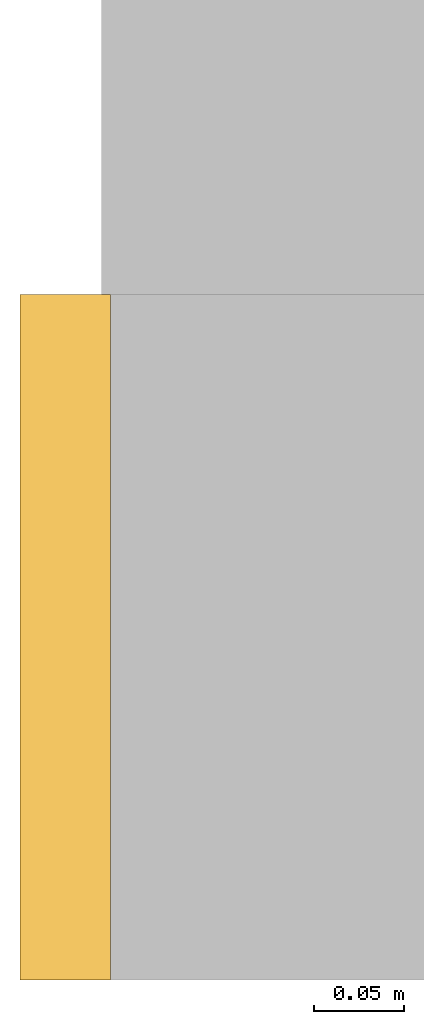
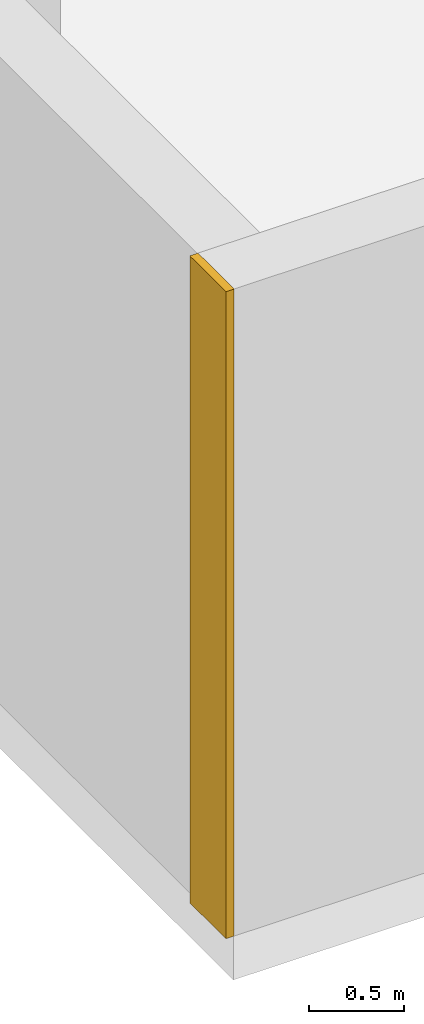
# One storey, part 16 of 21: 1 covering.
"""IFC4 building model written with IfcOpenShell, lengths in metres."""

from ifc_helpers import new_model, si_unit, direction, frame, frame_2d, origin, place, context, subcontext, project, spatial, rectangle, extrude, material, layer, layer_set, type_object, element, save


model = new_model("IFC4")

# Units and contexts
model_context = context("Model", 3, precision=1e-05, world=origin(), true_north=direction((0.0, 1.0)))
body_context = subcontext(model_context, "Body", "Model", "MODEL_VIEW")
ifc_project = project(units=[si_unit("LENGTHUNIT", "METRE"), si_unit("AREAUNIT", "SQUARE_METRE"), si_unit("VOLUMEUNIT", "CUBIC_METRE"), si_unit("PLANEANGLEUNIT", "RADIAN"), si_unit("MASSUNIT", "GRAM", prefix="KILO")], contexts=[model_context])

# Site, building, storey
site_placement = place(None, origin())
site = spatial("IfcSite", under=ifc_project, at=site_placement, CompositionType="ELEMENT")
building_placement = place(site_placement, origin())
building = spatial("IfcBuilding", under=site, at=building_placement, Name="Cairnveth Concourse Tower", CompositionType="ELEMENT")
storey_placement = place(building_placement, frame((0.0, 0.0, 14.5)))
storey = spatial("IfcBuildingStorey", under=building, at=storey_placement, Name="L03", CompositionType="ELEMENT", Elevation=14.5)

# Covering
ifc_material = material(Name="Dressed Melbourne Bluestone Cladding", Category="masonry")
ifc_layer = layer(ifc_material, 0.050048828125)
ifc_layer_set = layer_set([ifc_layer], Name="Dressed Melbourne Bluestone Cladding")
covering_type = type_object("IfcCoveringType", Name="DRESSED BLUESTONE PLINTH CLADDING 50", PredefinedType="CLADDING", material=ifc_layer_set)
covering_placement = place(storey_placement, frame((18.47998046875, 12.3798828125, 0.0), z_axis=(0.0, 0.0, 1.0), x_axis=(0.0, -1.0, 0.0)))
element("IfcCovering", 1, at=covering_placement, inside=storey, type_object=covering_type, Name="Melbourne Bluestone Corner Quoin L03-18", PredefinedType="CLADDING", context=body_context, shape_type="SweptSolid", body=[
    extrude(rectangle(XDim=0.3798828125, YDim=0.050048828125, at=frame_2d((0.18994140625, 0.0))), origin(), (0.0, 0.0, 1.0), 4.14990234375),
])

save(model, "model.ifc")
